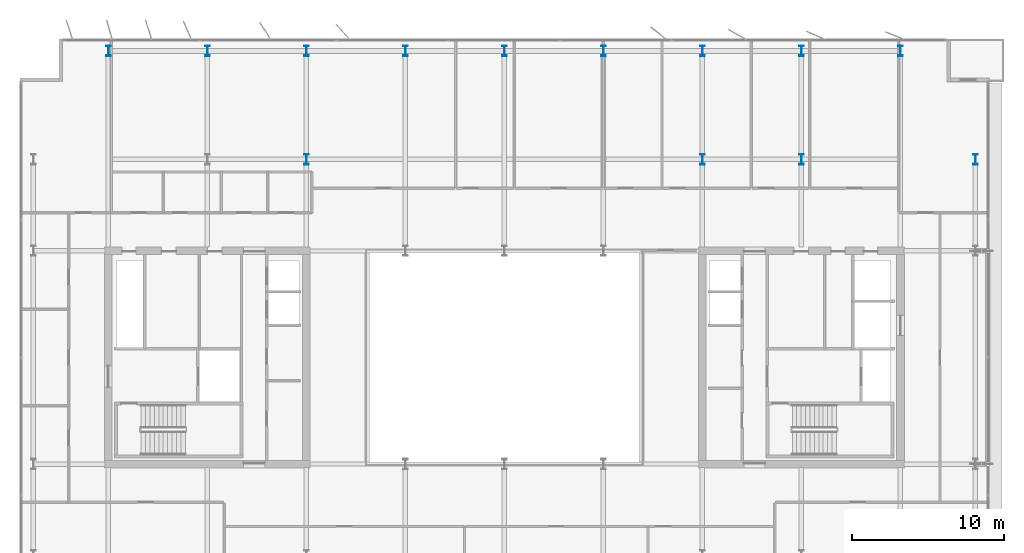
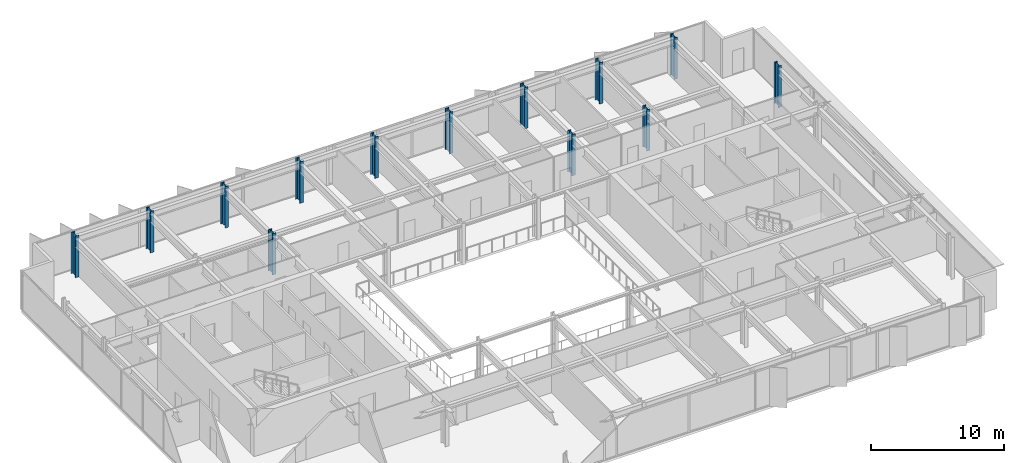
# One storey, part 3 of 19: 13 columns.
"""IFC4 building model written with IfcOpenShell, lengths in metres."""

from ifc_helpers import new_model, si_unit, direction, frame, origin, origin_2d, place, context, subcontext, project, spatial, i_section, extrude, material, material_profile, profile_set, type_object, element, save


model = new_model("IFC4")

# Units and contexts
model_context = context("Model", 3, precision=1e-05, world=origin(), true_north=direction((0.0, 1.0)))
body_context = subcontext(model_context, "Body", "Model", "MODEL_VIEW")
ifc_project = project(units=[si_unit("LENGTHUNIT", "METRE"), si_unit("AREAUNIT", "SQUARE_METRE"), si_unit("VOLUMEUNIT", "CUBIC_METRE"), si_unit("PLANEANGLEUNIT", "RADIAN"), si_unit("MASSUNIT", "GRAM", prefix="KILO")], contexts=[model_context])

# Site, building, storey
site_placement = place(None, origin())
site = spatial("IfcSite", under=ifc_project, at=site_placement, CompositionType="ELEMENT")
building_placement = place(site_placement, origin())
building = spatial("IfcBuilding", under=site, at=building_placement, Name="Putna Gate Headquarters", CompositionType="ELEMENT")
storey_placement = place(building_placement, frame((0.0, 0.0, 259.39990234375)))
storey = spatial("IfcBuildingStorey", under=building, at=storey_placement, Name="L65", CompositionType="ELEMENT", Elevation=259.39990234375)

# Columns
ifc_material = material(Name="Steel S460M", Category="steel")
ifc_material_profile_1 = material_profile(ifc_material, i_section(OverallWidth=0.304931640625, OverallDepth=0.66796875, WebThickness=0.02099609375, FlangeThickness=0.0400390625, at=origin_2d()), Name="Steel S460M")
ifc_profile_set_1 = profile_set([ifc_material_profile_1], Name="Steel S460M")
column_type_1 = type_object("IfcColumnType", Name="COL-STL-HEM650-EXT", PredefinedType="COLUMN", material=ifc_profile_set_1)
for number, where, z_axis, x_axis, name in (
    (1, (13.0, 46.1201171875, 0.0), (0.0, 0.0, 1.0), (1.0, 0.0, 0.0), "L65 Column CP-N13"),
    (2, (19.5, 46.1201171875, 0.0), (0.0, 0.0, 1.0), (1.0, 0.0, 0.0), "L65 Column CP-N19"),
    (3, (26.0, 46.1201171875, 0.0), (0.0, 0.0, 1.0), (1.0, 0.0, 0.0), "L65 Column CP-N26"),
    (4, (32.5, 46.1201171875, 0.0), (0.0, 0.0, 1.0), (1.0, 0.0, 0.0), "L65 Column CP-N32"),
    (5, (39.0, 46.1201171875, 0.0), (0.0, 0.0, 1.0), (1.0, 0.0, 0.0), "L65 Column CP-N39"),
    (6, (45.5, 46.1201171875, 0.0), (0.0, 0.0, 1.0), (1.0, 0.0, 0.0), "L65 Column CP-N45"),
    (7, (52.0, 46.1201171875, 0.0), (0.0, 0.0, 1.0), (1.0, 0.0, 0.0), "L65 Column CP-N52"),
    (8, (58.5, 46.1201171875, 0.0), (0.0, 0.0, 1.0), (1.0, 0.0, 0.0), "L65 Column CP-N58"),
    (9, (65.0, 46.1201171875, 0.0), (0.0, 0.0, 1.0), (1.0, 0.0, 0.0), "L65 Column CP-N65"),
    (10, (69.919921875, 39.0, 0.0), (0.0, 0.0, 1.0), (1.0, 0.0, 0.0), "L65 Column CP-E39"),
):
    element("IfcColumn", number, at=place(storey_placement, frame(where, z_axis=z_axis, x_axis=x_axis)), inside=storey, type_object=column_type_1, Name=name, PredefinedType="COLUMN", context=body_context, shape_type="SweptSolid", body=[
        extrude(i_section(OverallWidth=0.304931640625, OverallDepth=0.66796875, WebThickness=0.02099609375, FlangeThickness=0.0400390625, at=origin_2d()), origin(), (0.0, 0.0, 1.0), 3.800048828125),
    ])
ifc_material_profile_2 = material_profile(ifc_material, i_section(OverallWidth=0.304931640625, OverallDepth=0.66796875, WebThickness=0.02099609375, FlangeThickness=0.0400390625, at=origin_2d()), Name="Steel S460M")
ifc_profile_set_2 = profile_set([ifc_material_profile_2], Name="Steel S460M")
column_type_2 = type_object("IfcColumnType", Name="COL-STL-HEM650-INT", PredefinedType="COLUMN", material=ifc_profile_set_2)
for number, where, z_axis, x_axis, name in (
    (11, (58.5, 39.0, 0.0), (0.0, 0.0, 1.0), (1.0, 0.0, 0.0), "L65 Column CSI-EN"),
    (12, (26.0, 39.0, 0.0), (0.0, 0.0, 1.0), (1.0, 0.0, 0.0), "L65 Column CAP-WN"),
    (13, (52.0, 39.0, 0.0), (0.0, 0.0, 1.0), (1.0, 0.0, 0.0), "L65 Column CAP-EN"),
):
    element("IfcColumn", number, at=place(storey_placement, frame(where, z_axis=z_axis, x_axis=x_axis)), inside=storey, type_object=column_type_2, Name=name, PredefinedType="COLUMN", context=body_context, shape_type="SweptSolid", body=[
        extrude(i_section(OverallWidth=0.304931640625, OverallDepth=0.66796875, WebThickness=0.02099609375, FlangeThickness=0.0400390625, at=origin_2d()), origin(), (0.0, 0.0, 1.0), 3.800048828125),
    ])

save(model, "model.ifc")
